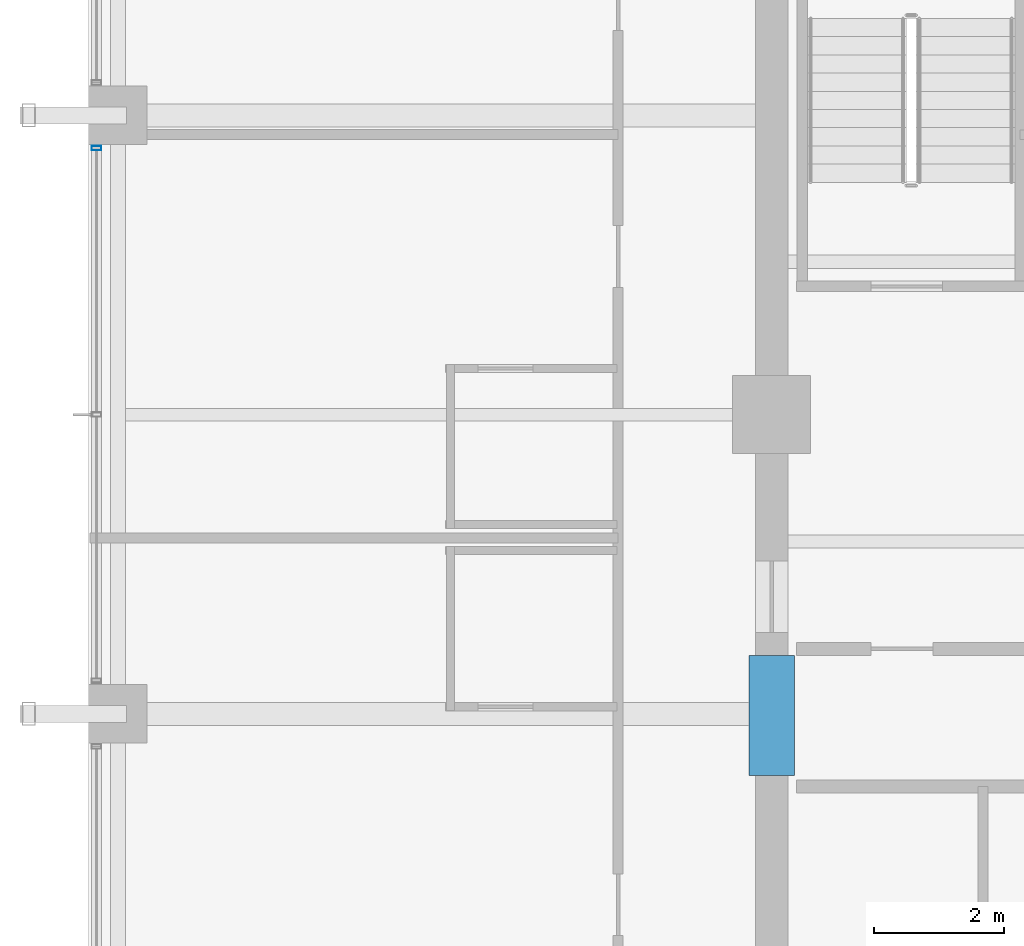
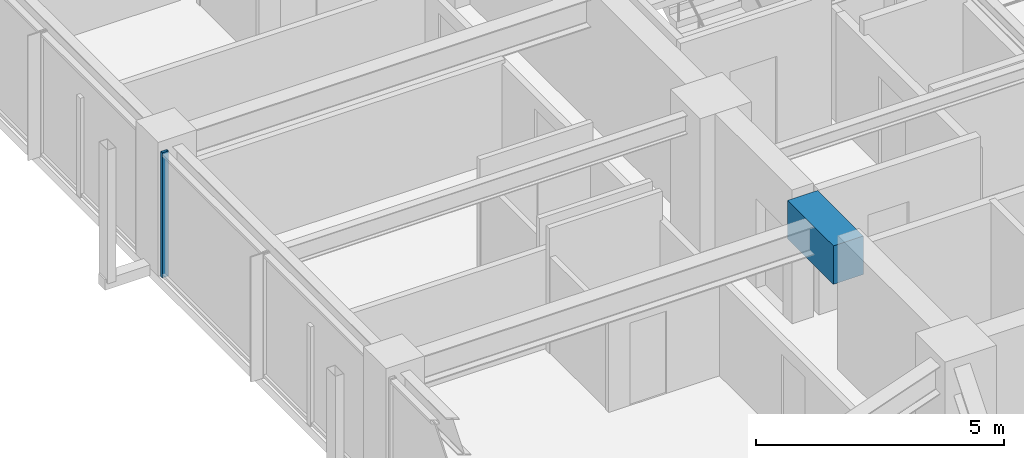
# One storey, part 9 of 37: 1 beam, 1 member, 1 element without a shape of its own.
"""IFC4 building model written with IfcOpenShell, lengths in metres."""

from ifc_helpers import new_model, si_unit, direction, frame, origin, origin_2d, place, context, subcontext, project, spatial, rectangle, hollow_rectangle, extrude, material, material_profile, profile_set, type_object, element, aggregate, save


model = new_model("IFC4")

# Units and contexts
model_context = context("Model", 3, precision=1e-05, world=origin(), true_north=direction((0.0, 1.0)))
body_context = subcontext(model_context, "Body", "Model", "MODEL_VIEW")
ifc_project = project(units=[si_unit("LENGTHUNIT", "METRE"), si_unit("AREAUNIT", "SQUARE_METRE"), si_unit("VOLUMEUNIT", "CUBIC_METRE"), si_unit("PLANEANGLEUNIT", "RADIAN"), si_unit("MASSUNIT", "GRAM", prefix="KILO")], contexts=[model_context])

# Site, building, storey
site_placement = place(None, origin())
site = spatial("IfcSite", under=ifc_project, at=site_placement, CompositionType="ELEMENT")
building_placement = place(site_placement, origin())
building = spatial("IfcBuilding", under=site, at=building_placement, Name="Kolvaren Belvedere", CompositionType="ELEMENT")
storey_placement = place(building_placement, frame((0.0, 0.0, 180.0)))
storey = spatial("IfcBuildingStorey", under=building, at=storey_placement, Name="L52", CompositionType="ELEMENT", Elevation=180.0)

# Beam
ifc_material_1 = material(Name="Concrete C60/75", Category="concrete")
ifc_material_profile_1 = material_profile(ifc_material_1, rectangle(XDim=0.699951171875, YDim=0.949951171875, at=origin_2d()), Name="RC 700X950")
ifc_profile_set_1 = profile_set([ifc_material_profile_1], Name="Concrete C60/75")
beam_type = type_object("IfcBeamType", Name="BM-LINT-950", PredefinedType="LINTEL", material=ifc_profile_set_1)
beam_placement = place(storey_placement, frame((-9.89990234375, -5.550048828125, 2.60498046875), z_axis=(0.0, 1.0, 0.0), x_axis=(-1.0, 0.0, 0.0)))
element("IfcBeam", 1, at=beam_placement, inside=storey, type_object=beam_type, Name="L52 West Core Coupling Lintel", PredefinedType="LINTEL", context=body_context, shape_type="SweptSolid", body=[
    extrude(rectangle(XDim=0.699951171875, YDim=0.949951171875, at=origin_2d()), origin(), (0.0, 0.0, 1.0), 1.85009765625),
])

# Curtain wall, member
ifc_material_2 = material(Name="Anodised pale-metal aluminium AA 6063-T6", Category="aluminium")
curtain_wall_type = type_object("IfcCurtainWallType", Name="CW-Z5-HIGH", PredefinedType="NOTDEFINED", material=ifc_material_2)
curtain_wall_placement = place(storey_placement, origin())
curtain_wall = element("IfcCurtainWall", 2, at=curtain_wall_placement, inside=storey, type_object=curtain_wall_type, Name="L52 Unitised Curtain Wall FCW-L52-W-B2", PredefinedType="NOTDEFINED")
ifc_material_3 = material(Name="Anodised pale-metal aluminium AA 6063-T6", Category="aluminium")
ifc_material_profile_2 = material_profile(ifc_material_3, hollow_rectangle(XDim=0.070068359375, YDim=0.14990234375, WallThickness=0.004150390625, at=origin_2d()), Name="ALU-MUL-150X70")
ifc_profile_set_2 = profile_set([ifc_material_profile_2], Name="Anodised pale-metal aluminium AA 6063-T6")
member_type = type_object("IfcMemberType", Name="CW-MUL-150", PredefinedType="MULLION", material=ifc_profile_set_2)
member_placement = place(storey_placement, frame((-20.280029296875, 4.094970703125, 0.0), z_axis=(0.0, 0.0, 1.0), x_axis=(0.0, 1.0, 0.0)))
member = element("IfcMember", 3, at=member_placement, type_object=member_type, Name="FCW-L52-W-B2 Unitised Mullion 3", PredefinedType="MULLION", context=body_context, shape_type="SweptSolid", body=[
    extrude(hollow_rectangle(XDim=0.070068359375, YDim=0.14990234375, WallThickness=0.004150390625, at=origin_2d()), origin(), (0.0, 0.0, 1.0), 3.080078125),
])
aggregate(curtain_wall, [member])

save(model, "model.ifc")
